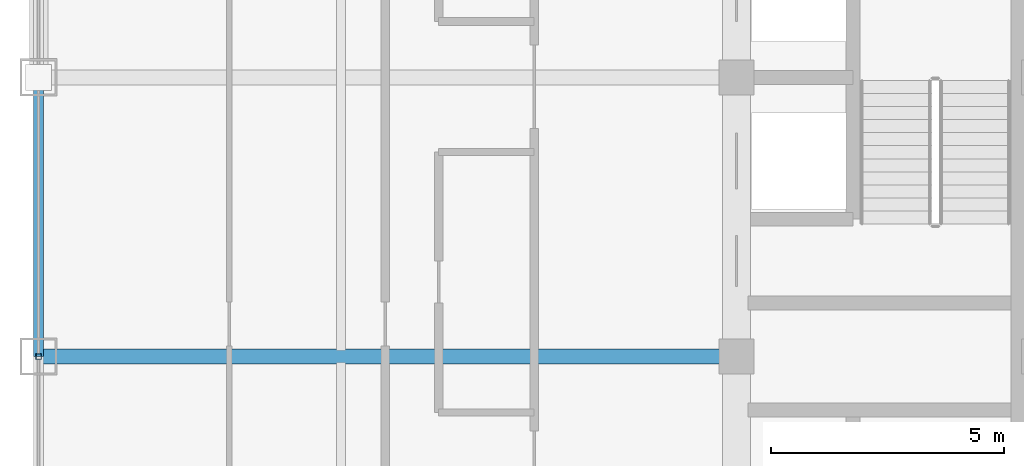
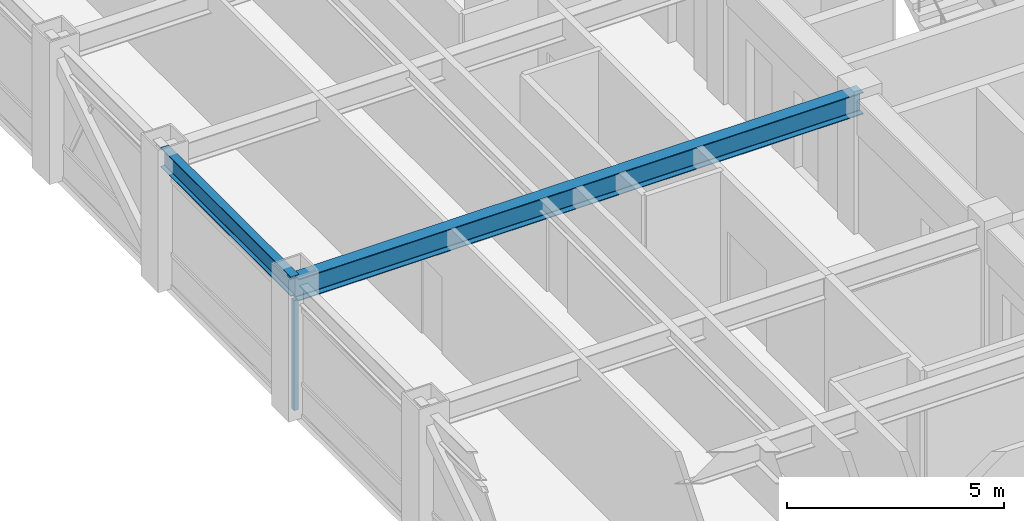
# One storey, part 6 of 28: 2 beams, 1 member, 1 element without a shape of its own.
"""IFC4 building model written with IfcOpenShell, lengths in metres."""

from ifc_helpers import new_model, si_unit, direction, frame, origin, origin_2d, place, context, subcontext, project, spatial, hollow_rectangle, i_section, extrude, source, transform, mapped, material, material_profile, profile_set, type_object, element, aggregate, save


model = new_model("IFC4")

# Units and contexts
model_context = context("Model", 3, precision=1e-05, world=origin(), true_north=direction((0.0, 1.0)))
body_context = subcontext(model_context, "Body", "Model", "MODEL_VIEW")
ifc_project = project(units=[si_unit("LENGTHUNIT", "METRE"), si_unit("AREAUNIT", "SQUARE_METRE"), si_unit("VOLUMEUNIT", "CUBIC_METRE"), si_unit("PLANEANGLEUNIT", "RADIAN"), si_unit("MASSUNIT", "GRAM", prefix="KILO")], contexts=[model_context])

# Site, building, storey
site_placement = place(None, origin())
site = spatial("IfcSite", under=ifc_project, at=site_placement, CompositionType="ELEMENT")
building_placement = place(site_placement, origin())
building = spatial("IfcBuilding", under=site, at=building_placement, Name="Khorayat Bourse Tower", CompositionType="ELEMENT")
storey_placement = place(building_placement, frame((0.0, 0.0, 338.300048828125)))
storey = spatial("IfcBuildingStorey", under=building, at=storey_placement, Name="L80", CompositionType="ELEMENT", Elevation=338.300048828125)

# Beams
ifc_material_1 = material(Name="Steel ASTM A992 Grade 50", Category="steel")
ifc_material_profile_1 = material_profile(ifc_material_1, i_section(OverallWidth=0.214111328125, OverallDepth=0.549072265625, WebThickness=0.0146484375, FlangeThickness=0.023681640625, FilletRadius=0.013916015625, at=origin_2d()), Name="W530X138")
ifc_profile_set_1 = profile_set([ifc_material_profile_1], Name="Steel ASTM A992 Grade 50")
beam_type_1 = type_object("IfcBeamType", Name="BM-SPAN-530", PredefinedType="SPANDREL", material=ifc_profile_set_1)
shared_shape_1 = source(origin(), body_context, "Body", "SweptSolid", [
    extrude(i_section(OverallWidth=0.214111328125, OverallDepth=0.549072265625, WebThickness=0.0146484375, FlangeThickness=0.023681640625, FilletRadius=0.013916015625, at=origin_2d()), origin(), (0.0, 0.0, 1.0), 6.0),
])
beam_1_placement = place(storey_placement, frame((-26.0, 0.0, 3.46533203125), z_axis=(0.0, 1.0, 0.0), x_axis=(-1.0, 0.0, 0.0)))
element("IfcBeam", 1, at=beam_1_placement, inside=storey, type_object=beam_type_1, Name="L80 BM-SPAN-530 BM-L80-SPN-050", PredefinedType="SPANDREL", context=body_context, shape_type="MappedRepresentation", body=[
    mapped(shared_shape_1, transform((0.0, 0.0, 0.0), scale=1.0)),
])
ifc_material_profile_2 = material_profile(ifc_material_1, i_section(OverallWidth=0.324951171875, OverallDepth=0.615966796875, WebThickness=0.013916015625, FlangeThickness=0.021484375, FilletRadius=0.01611328125, at=origin_2d()), Name="W610X174")
ifc_profile_set_2 = profile_set([ifc_material_profile_2], Name="Steel ASTM A992 Grade 50")
beam_type_2 = type_object("IfcBeamType", Name="BM-GIRD-610", PredefinedType="BEAM", material=ifc_profile_set_2)
shared_shape_2 = source(origin(), body_context, "Body", "SweptSolid", [
    extrude(i_section(OverallWidth=0.324951171875, OverallDepth=0.615966796875, WebThickness=0.013916015625, FlangeThickness=0.021484375, FilletRadius=0.01611328125, at=origin_2d()), origin(), (0.0, 0.0, 1.0), 15.0),
])
beam_2_placement = place(storey_placement, frame((-26.0, 0.0, 3.431884765625), z_axis=(1.0, 0.0, 0.0), x_axis=(0.0, 1.0, 0.0)))
element("IfcBeam", 2, at=beam_2_placement, inside=storey, type_object=beam_type_2, Name="L80 BM-GIRD-610 BM-L80-RADX-071", PredefinedType="BEAM", context=body_context, shape_type="MappedRepresentation", body=[
    mapped(shared_shape_2, transform((0.0, 0.0, 0.0), scale=1.0)),
])

# Curtain wall, member
ifc_material_2 = material(Name="Aluminium EN AW-6063 T6", Category="aluminium")
curtain_wall_type = type_object("IfcCurtainWallType", Name="CW-SYS-04", PredefinedType="NOTDEFINED", material=ifc_material_2)
curtain_wall_placement = place(storey_placement, origin())
curtain_wall = element("IfcCurtainWall", 3, at=curtain_wall_placement, inside=storey, type_object=curtain_wall_type, Name="L80 Curtain Wall CW-L80-W1", PredefinedType="NOTDEFINED")
ifc_material_profile_3 = material_profile(ifc_material_2, hollow_rectangle(XDim=0.1201171875, YDim=0.1201171875, WallThickness=0.0048828125, at=origin_2d()), Name="ALU 120x120x5")
ifc_profile_set_3 = profile_set([ifc_material_profile_3], Name="Aluminium EN AW-6063 T6")
member_type = type_object("IfcMemberType", Name="CWM-VERT-120", PredefinedType="MULLION", material=ifc_profile_set_3)
shared_shape_3 = source(origin(), body_context, "Body", "SweptSolid", [
    extrude(hollow_rectangle(XDim=0.1201171875, YDim=0.1201171875, WallThickness=0.0048828125, at=origin_2d()), origin(), (0.0, 0.0, 1.0), 3.08984375),
])
member_placement = place(storey_placement, frame((-26.0, 0.0, 0.0), z_axis=(0.0, 0.0, 1.0), x_axis=(-1.0, 0.0, 0.0)))
member = element("IfcMember", 4, at=member_placement, type_object=member_type, Name="CW-L80-W1 Vertical Mullion 2", PredefinedType="MULLION", context=body_context, shape_type="MappedRepresentation", body=[
    mapped(shared_shape_3, transform((0.0, 0.0, 0.0), scale=1.0)),
])
aggregate(curtain_wall, [member])

save(model, "model.ifc")
